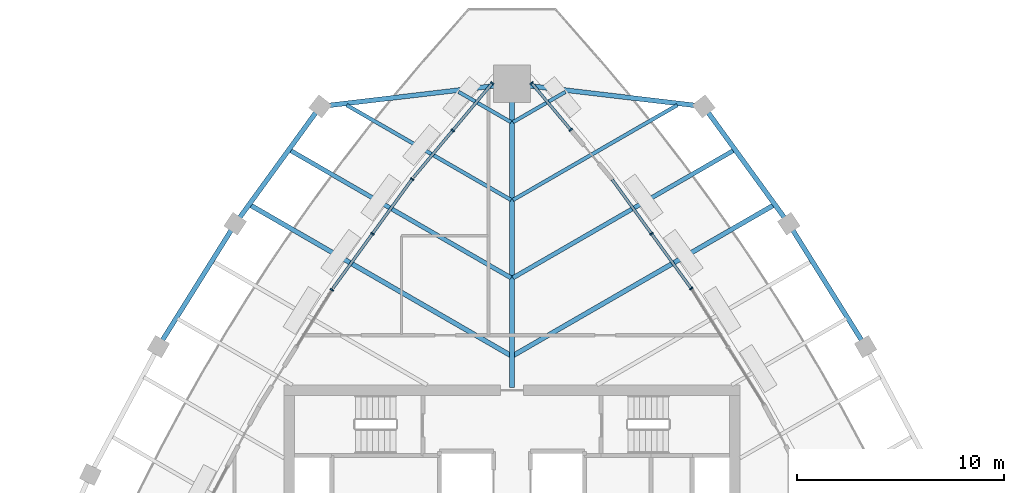
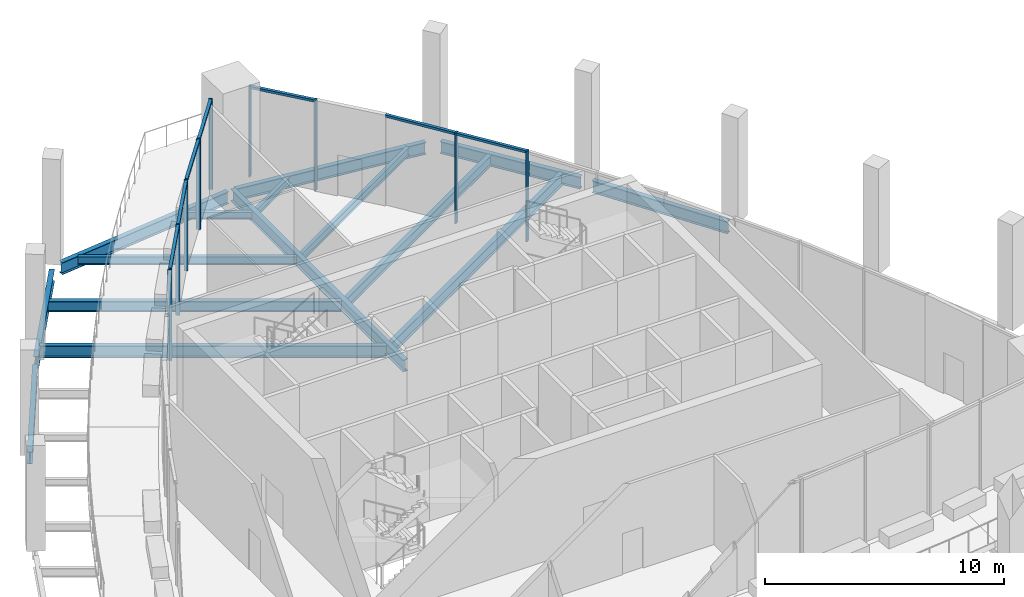
# One storey, part 5 of 14: 16 members, 15 beams, 5 elements without a shape of their own.
"""IFC4 building model written with IfcOpenShell, lengths in metres."""

from ifc_helpers import new_model, si_unit, direction, frame, origin, origin_2d, place, context, subcontext, project, spatial, rectangle, i_section, extrude, material, layer, layer_set, material_profile, profile_set, type_object, element, aggregate, save


model = new_model("IFC4")

# Units and contexts
model_context = context("Model", 3, precision=1e-05, world=origin(), true_north=direction((0.0, 1.0)))
body_context = subcontext(model_context, "Body", "Model", "MODEL_VIEW")
ifc_project = project(units=[si_unit("LENGTHUNIT", "METRE"), si_unit("AREAUNIT", "SQUARE_METRE"), si_unit("VOLUMEUNIT", "CUBIC_METRE"), si_unit("PLANEANGLEUNIT", "RADIAN"), si_unit("MASSUNIT", "GRAM", prefix="KILO")], contexts=[model_context])

# Site, building, storey
site_placement = place(None, origin())
site = spatial("IfcSite", under=ifc_project, at=site_placement, CompositionType="ELEMENT")
building_placement = place(site_placement, origin())
building = spatial("IfcBuilding", under=site, at=building_placement, Name="Sierra Prisma Convention Tower", CompositionType="ELEMENT")
storey_placement = place(building_placement, frame((0.0, 0.0, 339.39990234375)))
storey = spatial("IfcBuildingStorey", under=building, at=storey_placement, Name="L76", CompositionType="ELEMENT", Elevation=339.39990234375)

# Curtain wall, members
ifc_material_1 = material(Name="Aluminium and glass curtain wall", Category="aluminium")
ifc_layer = layer(ifc_material_1, 0.179931640625)
ifc_layer_set = layer_set([ifc_layer], Name="CW-5 Observation lounge curtain wall")
curtain_wall_type = type_object("IfcCurtainWallType", Name="CW-5 Observation lounge curtain wall", PredefinedType="NOTDEFINED", material=ifc_layer_set)
curtain_wall_1_placement = place(storey_placement, origin())
curtain_wall_1 = element("IfcCurtainWall", 1, at=curtain_wall_1_placement, inside=storey, type_object=curtain_wall_type, Name="CW-5 CNE5 L76", PredefinedType="NOTDEFINED")
ifc_material_2 = material(Name="Aluminium 6063-T6 bronze anodised", Category="aluminium")
ifc_material_profile_1 = material_profile(ifc_material_2, rectangle(XDim=0.179931640625, YDim=0.070068359375, at=origin_2d()), Name="ALU MULLION 70x180")
ifc_profile_set_1 = profile_set([ifc_material_profile_1], Name="Aluminium 6063-T6 bronze anodised")
member_type_1 = type_object("IfcMemberType", Name="CW mullion bronze", PredefinedType="MULLION", material=ifc_profile_set_1)
member_1_placement = place(storey_placement, frame((8.650146484375, 12.6533203125, 0.0), z_axis=(0.0, 0.0, 1.0), x_axis=(-0.809530094288, -0.587078381855, 0.0)))
member_1 = element("IfcMember", 2, at=member_1_placement, type_object=member_type_1, Name="CW-5 mullion CNE5.1", PredefinedType="MULLION", context=body_context, shape_type="SweptSolid", body=[
    extrude(rectangle(XDim=0.179931640625, YDim=0.070068359375, at=origin_2d()), origin(), (0.0, 0.0, 1.0), 4.64013671875),
])
member_2_placement = place(storey_placement, frame((6.732666015625, 15.29736328125, 0.0), z_axis=(0.0, 0.0, 1.0), x_axis=(-0.809530094288, -0.587078381855, 0.0)))
member_2 = element("IfcMember", 3, at=member_2_placement, type_object=member_type_1, Name="CW-5 mullion CNE5.2", PredefinedType="MULLION", context=body_context, shape_type="SweptSolid", body=[
    extrude(rectangle(XDim=0.179931640625, YDim=0.070068359375, at=origin_2d()), origin(), (0.0, 0.0, 1.0), 4.64013671875),
])

curtain_wall_2_placement = place(storey_placement, origin())
curtain_wall_2 = element("IfcCurtainWall", 4, at=curtain_wall_2_placement, inside=storey, type_object=curtain_wall_type, Name="CW-5 CNE6 L76", PredefinedType="NOTDEFINED")
member_3_placement = place(storey_placement, frame((2.835693359375, 20.31103515625, 0.0), z_axis=(0.0, 0.0, 1.0), x_axis=(-0.766979382911, -0.641671743331, 0.0)))
member_3 = element("IfcMember", 5, at=member_3_placement, type_object=member_type_1, Name="CW-5 mullion CNE6.1", PredefinedType="MULLION", context=body_context, shape_type="SweptSolid", body=[
    extrude(rectangle(XDim=0.179931640625, YDim=0.070068359375, at=origin_2d()), origin(), (0.0, 0.0, 1.0), 4.64013671875),
])
member_4_placement = place(storey_placement, frame((0.944091796875, 22.572021484375, 0.0), z_axis=(0.0, 0.0, 1.0), x_axis=(-0.766979382911, -0.641671743331, 0.0)))
member_4 = element("IfcMember", 6, at=member_4_placement, type_object=member_type_1, Name="CW-5 mullion CNE6.2", PredefinedType="MULLION", context=body_context, shape_type="SweptSolid", body=[
    extrude(rectangle(XDim=0.179931640625, YDim=0.070068359375, at=origin_2d()), origin(), (0.0, 0.0, 1.0), 4.64013671875),
])

curtain_wall_3_placement = place(storey_placement, origin())
curtain_wall_3 = element("IfcCurtainWall", 7, at=curtain_wall_3_placement, inside=storey, type_object=curtain_wall_type, Name="CW-5 CNW1 L76", PredefinedType="NOTDEFINED")
member_5_placement = place(storey_placement, frame((-0.947265625, 22.568359375, 0.0), z_axis=(0.0, 0.0, 1.0), x_axis=(0.766979382911, -0.641671743331, 0.0)))
member_5 = element("IfcMember", 8, at=member_5_placement, type_object=member_type_1, Name="CW-5 mullion CNW1.1", PredefinedType="MULLION", context=body_context, shape_type="SweptSolid", body=[
    extrude(rectangle(XDim=0.179931640625, YDim=0.070068359375, at=origin_2d()), origin(), (0.0, 0.0, 1.0), 4.64013671875),
])
member_6_placement = place(storey_placement, frame((-2.85986328125, 20.282470703125, 0.0), z_axis=(0.0, 0.0, 1.0), x_axis=(0.766979382911, -0.641671743331, 0.0)))
member_6 = element("IfcMember", 9, at=member_6_placement, type_object=member_type_1, Name="CW-5 mullion CNW1.2", PredefinedType="MULLION", context=body_context, shape_type="SweptSolid", body=[
    extrude(rectangle(XDim=0.179931640625, YDim=0.070068359375, at=origin_2d()), origin(), (0.0, 0.0, 1.0), 4.64013671875),
])

curtain_wall_4_placement = place(storey_placement, origin())
curtain_wall_4 = element("IfcCurtainWall", 10, at=curtain_wall_4_placement, inside=storey, type_object=curtain_wall_type, Name="CW-5 CNW2 L76", PredefinedType="NOTDEFINED")
member_7_placement = place(storey_placement, frame((-4.815185546875, 17.94140625, 0.0), z_axis=(0.0, 0.0, 1.0), x_axis=(0.809530094288, -0.587078381855, 0.0)))
member_7 = element("IfcMember", 11, at=member_7_placement, type_object=member_type_1, Name="CW-5 mullion CNW2.1", PredefinedType="MULLION", context=body_context, shape_type="SweptSolid", body=[
    extrude(rectangle(XDim=0.179931640625, YDim=0.070068359375, at=origin_2d()), origin(), (0.0, 0.0, 1.0), 4.64013671875),
])
member_8_placement = place(storey_placement, frame((-6.732666015625, 15.29736328125, 0.0), z_axis=(0.0, 0.0, 1.0), x_axis=(0.809530094288, -0.587078381855, 0.0)))
member_8 = element("IfcMember", 12, at=member_8_placement, type_object=member_type_1, Name="CW-5 mullion CNW2.2", PredefinedType="MULLION", context=body_context, shape_type="SweptSolid", body=[
    extrude(rectangle(XDim=0.179931640625, YDim=0.070068359375, at=origin_2d()), origin(), (0.0, 0.0, 1.0), 4.64013671875),
])

# Curtain wall, member
curtain_wall_5_placement = place(storey_placement, origin())
curtain_wall_5 = element("IfcCurtainWall", 13, at=curtain_wall_5_placement, inside=storey, type_object=curtain_wall_type, Name="CW-5 CNW3 L76", PredefinedType="NOTDEFINED")
member_9_placement = place(storey_placement, frame((-8.689208984375, 12.59521484375, 0.0), z_axis=(0.0, 0.0, 1.0), x_axis=(0.848202348476, -0.529672328935, 0.0)))
member_9 = element("IfcMember", 14, at=member_9_placement, type_object=member_type_1, Name="CW-5 mullion CNW3.1", PredefinedType="MULLION", context=body_context, shape_type="SweptSolid", body=[
    extrude(rectangle(XDim=0.179931640625, YDim=0.070068359375, at=origin_2d()), origin(), (0.0, 0.0, 1.0), 4.64013671875),
])
aggregate(curtain_wall_5, [member_9])

# Member
ifc_material_3 = material(Name="Aluminium 6063-T6 bronze anodised", Category="aluminium")
ifc_material_profile_2 = material_profile(ifc_material_3, rectangle(XDim=0.139892578125, YDim=0.1201171875, at=origin_2d()), Name="ALU TRANSOM 120x140")
ifc_profile_set_2 = profile_set([ifc_material_profile_2], Name="Aluminium 6063-T6 bronze anodised")
member_type_2 = type_object("IfcMemberType", Name="CW transom bronze", PredefinedType="USERDEFINED", material=ifc_profile_set_2)
member_10_placement = place(storey_placement, frame((8.629638671875, 12.681640625, 4.580078125), z_axis=(-0.587090230316, 0.809521501547, 0.0), x_axis=(-0.809521501547, -0.587090230316, 0.0)))
member_10 = element("IfcMember", 15, at=member_10_placement, type_object=member_type_2, Name="CW-5 transom CNE5.1", ObjectType="TRANSOM", PredefinedType="USERDEFINED", context=body_context, shape_type="SweptSolid", body=[
    extrude(rectangle(XDim=0.139892578125, YDim=0.1201171875, at=origin_2d()), origin(), (0.0, 0.0, 1.0), 3.1962890625),
])

member_11_placement = place(storey_placement, frame((6.712158203125, 15.32568359375, 4.580078125), z_axis=(-0.587090230316, 0.809521501547, 0.0), x_axis=(-0.809521501547, -0.587090230316, 0.0)))
member_11 = element("IfcMember", 16, at=member_11_placement, type_object=member_type_2, Name="CW-5 transom CNE5.2", ObjectType="TRANSOM", PredefinedType="USERDEFINED", context=body_context, shape_type="SweptSolid", body=[
    extrude(rectangle(XDim=0.139892578125, YDim=0.1201171875, at=origin_2d()), origin(), (0.0, 0.0, 1.0), 3.1962890625),
])

aggregate(curtain_wall_1, [member_1, member_2, member_10, member_11])

member_12_placement = place(storey_placement, frame((2.813232421875, 20.337890625, 4.580078125), z_axis=(-0.641676806745, 0.766975146719, 0.0), x_axis=(-0.766975146719, -0.641676806745, 0.0)))
member_12 = element("IfcMember", 17, at=member_12_placement, type_object=member_type_2, Name="CW-5 transom CNE6.1", ObjectType="TRANSOM", PredefinedType="USERDEFINED", context=body_context, shape_type="SweptSolid", body=[
    extrude(rectangle(XDim=0.139892578125, YDim=0.1201171875, at=origin_2d()), origin(), (0.0, 0.0, 1.0), 2.8779296875),
])

aggregate(curtain_wall_2, [member_3, member_4, member_12])

member_13_placement = place(storey_placement, frame((-0.9697265625, 22.54150390625, 4.580078125), z_axis=(-0.641709542464, -0.766947757745, 0.0), x_axis=(0.766947757745, -0.641709542464, 0.0)))
member_13 = element("IfcMember", 18, at=member_13_placement, type_object=member_type_2, Name="CW-5 transom CNW1.1", ObjectType="TRANSOM", PredefinedType="USERDEFINED", context=body_context, shape_type="SweptSolid", body=[
    extrude(rectangle(XDim=0.139892578125, YDim=0.1201171875, at=origin_2d()), origin(), (0.0, 0.0, 1.0), 2.910400390625),
])

member_14_placement = place(storey_placement, frame((-2.88232421875, 20.255615234375, 4.580078125), z_axis=(-0.641660197403, -0.766989042339, 0.0), x_axis=(0.766989042339, -0.641660197403, 0.0)))
member_14 = element("IfcMember", 19, at=member_14_placement, type_object=member_type_2, Name="CW-5 transom CNW1.2", ObjectType="TRANSOM", PredefinedType="USERDEFINED", context=body_context, shape_type="SweptSolid", body=[
    extrude(rectangle(XDim=0.139892578125, YDim=0.1201171875, at=origin_2d()), origin(), (0.0, 0.0, 1.0), 2.910400390625),
])

aggregate(curtain_wall_3, [member_5, member_6, member_13, member_14])

member_15_placement = place(storey_placement, frame((-4.835693359375, 17.9130859375, 4.580078125), z_axis=(-0.587090230316, -0.809521501547, 0.0), x_axis=(0.809521501547, -0.587090230316, 0.0)))
member_15 = element("IfcMember", 20, at=member_15_placement, type_object=member_type_2, Name="CW-5 transom CNW2.1", ObjectType="TRANSOM", PredefinedType="USERDEFINED", context=body_context, shape_type="SweptSolid", body=[
    extrude(rectangle(XDim=0.139892578125, YDim=0.1201171875, at=origin_2d()), origin(), (0.0, 0.0, 1.0), 3.1962890625),
])

member_16_placement = place(storey_placement, frame((-6.753173828125, 15.26904296875, 4.580078125), z_axis=(-0.587090230316, -0.809521501547, 0.0), x_axis=(0.809521501547, -0.587090230316, 0.0)))
member_16 = element("IfcMember", 21, at=member_16_placement, type_object=member_type_2, Name="CW-5 transom CNW2.2", ObjectType="TRANSOM", PredefinedType="USERDEFINED", context=body_context, shape_type="SweptSolid", body=[
    extrude(rectangle(XDim=0.139892578125, YDim=0.1201171875, at=origin_2d()), origin(), (0.0, 0.0, 1.0), 3.1962890625),
])

aggregate(curtain_wall_4, [member_7, member_8, member_15, member_16])

# Beams
ifc_material_4 = material(Name="Steel ASTM A992 Gr 50", Category="steel")
ifc_material_profile_3 = material_profile(ifc_material_4, i_section(OverallWidth=0.172119140625, OverallDepth=0.35791015625, WebThickness=0.0078125, FlangeThickness=0.01318359375, at=origin_2d()), Name="W360x57")
ifc_profile_set_3 = profile_set([ifc_material_profile_3], Name="Steel ASTM A992 Gr 50")
beam_type_1 = type_object("IfcBeamType", Name="Floor joist W360x57", PredefinedType="JOIST", material=ifc_profile_set_3)
for number, where, z_axis, x_axis, name in (
    (22, (2.577880859375, 22.14306640625, -0.47900390625), (-0.866035418383, -0.499982653806, 0.0), (0.499982653806, -0.866035418383, 0.0), "Floor joist L76 NE12"),
    (23, (-2.577880859375, 22.14306640625, -0.47900390625), (0.866035418383, -0.499982653806, 0.0), (0.499982653806, 0.866035418383, 0.0), "Floor joist L76 NW01"),
):
    element("IfcBeam", number, at=place(storey_placement, frame(where, z_axis=z_axis, x_axis=x_axis)), inside=storey, type_object=beam_type_1, Name=name, PredefinedType="JOIST", context=body_context, shape_type="SweptSolid", body=[
        extrude(i_section(OverallWidth=0.172119140625, OverallDepth=0.35791015625, WebThickness=0.0078125, FlangeThickness=0.01318359375, at=origin_2d()), origin(), (0.0, 0.0, 1.0), 2.923828125),
    ])
ifc_material_5 = material(Name="Steel ASTM A992 Gr 50", Category="steel")
ifc_material_profile_4 = material_profile(ifc_material_5, i_section(OverallWidth=0.177978515625, OverallDepth=0.406982421875, WebThickness=0.0078125, FlangeThickness=0.0126953125, at=origin_2d()), Name="W410x60")
ifc_profile_set_4 = profile_set([ifc_material_profile_4], Name="Steel ASTM A992 Gr 50")
beam_type_2 = type_object("IfcBeamType", Name="Floor joist W410x60", PredefinedType="JOIST", material=ifc_profile_set_4)
for number, where, z_axis, x_axis, name in (
    (24, (7.98046875, 21.5068359375, -0.50341796875), (-0.866030723977, -0.499990785043, 0.0), (0.499990785043, -0.866030723977, 0.0), "Floor joist L76 NE11"),
    (25, (-7.98046875, 21.5068359375, -0.50341796875), (0.866030723977, -0.499990785043, 0.0), (0.499990785043, 0.866030723977, 0.0), "Floor joist L76 NW02"),
):
    element("IfcBeam", number, at=place(storey_placement, frame(where, z_axis=z_axis, x_axis=x_axis)), inside=storey, type_object=beam_type_2, Name=name, PredefinedType="JOIST", context=body_context, shape_type="SweptSolid", body=[
        extrude(i_section(OverallWidth=0.177978515625, OverallDepth=0.406982421875, WebThickness=0.0078125, FlangeThickness=0.0126953125, at=origin_2d()), origin(), (0.0, 0.0, 1.0), 9.162353515625),
    ])
ifc_material_6 = material(Name="Steel ASTM A992 Gr 50", Category="steel")
ifc_material_profile_5 = material_profile(ifc_material_6, i_section(OverallWidth=0.208984375, OverallDepth=0.532958984375, WebThickness=0.01025390625, FlangeThickness=0.015625, at=origin_2d()), Name="W530x92")
ifc_profile_set_5 = profile_set([ifc_material_profile_5], Name="Steel ASTM A992 Gr 50")
beam_type_3 = type_object("IfcBeamType", Name="Floor joist W530x92", PredefinedType="JOIST", material=ifc_profile_set_5)
for number, where, z_axis, x_axis, name in (
    (26, (10.706298828125, 19.3251953125, -0.56640625), (-0.866030357748, -0.499991419384, 0.0), (0.499991419384, -0.866030357748, 0.0), "Floor joist L76 NE10"),
    (27, (-10.706298828125, 19.3251953125, -0.56640625), (0.866030357748, -0.499991419384, 0.0), (0.499991419384, 0.866030357748, 0.0), "Floor joist L76 NW03"),
):
    element("IfcBeam", number, at=place(storey_placement, frame(where, z_axis=z_axis, x_axis=x_axis)), inside=storey, type_object=beam_type_3, Name=name, PredefinedType="JOIST", context=body_context, shape_type="SweptSolid", body=[
        extrude(i_section(OverallWidth=0.208984375, OverallDepth=0.532958984375, WebThickness=0.01025390625, FlangeThickness=0.015625, at=origin_2d()), origin(), (0.0, 0.0, 1.0), 12.309814453125),
    ])
ifc_material_7 = material(Name="Steel ASTM A992 Gr 50", Category="steel")
ifc_material_profile_6 = material_profile(ifc_material_7, i_section(OverallWidth=0.22802734375, OverallDepth=0.60302734375, WebThickness=0.010498046875, FlangeThickness=0.014892578125, at=origin_2d()), Name="W610x101")
ifc_profile_set_6 = profile_set([ifc_material_profile_6], Name="Steel ASTM A992 Gr 50")
beam_type_4 = type_object("IfcBeamType", Name="Floor joist W610x101", PredefinedType="JOIST", material=ifc_profile_set_6)
for number, where, z_axis, x_axis, name in (
    (28, (12.6259765625, 16.67822265625, -0.601318359375), (-0.866020178709, -0.500009049987, 0.0), (0.500009049987, -0.866020178709, 0.0), "Floor joist L76 NE09"),
    (29, (-12.6259765625, 16.67822265625, -0.601318359375), (0.866020178709, -0.500009049987, 0.0), (0.500009049987, 0.866020178709, 0.0), "Floor joist L76 NW04"),
):
    element("IfcBeam", number, at=place(storey_placement, frame(where, z_axis=z_axis, x_axis=x_axis)), inside=storey, type_object=beam_type_4, Name=name, PredefinedType="JOIST", context=body_context, shape_type="SweptSolid", body=[
        extrude(i_section(OverallWidth=0.22802734375, OverallDepth=0.60302734375, WebThickness=0.010498046875, FlangeThickness=0.014892578125, at=origin_2d()), origin(), (0.0, 0.0, 1.0), 14.526611328125),
    ])
ifc_material_8 = material(Name="Steel ASTM A992 Gr 50", Category="steel")
ifc_material_profile_7 = material_profile(ifc_material_8, i_section(OverallWidth=0.22802734375, OverallDepth=0.60302734375, WebThickness=0.010498046875, FlangeThickness=0.014892578125, at=origin_2d()), Name="W610x101")
ifc_profile_set_7 = profile_set([ifc_material_profile_7], Name="Steel ASTM A992 Gr 50")
beam_type_5 = type_object("IfcBeamType", Name="Radial girder W610x101", PredefinedType="BEAM", material=ifc_profile_set_7)
beam_placement = place(storey_placement, frame((0.0, 22.3525390625, -0.451416015625), z_axis=(0.0, -1.0, 0.0), x_axis=(1.0, 0.0, 0.0)))
element("IfcBeam", 30, at=beam_placement, inside=storey, type_object=beam_type_5, Name="Radial girder L76 N", PredefinedType="BEAM", context=body_context, shape_type="SweptSolid", body=[
    extrude(i_section(OverallWidth=0.22802734375, OverallDepth=0.60302734375, WebThickness=0.010498046875, FlangeThickness=0.014892578125, at=origin_2d()), origin(), (0.0, 0.0, 1.0), 14.47265625),
])
ifc_material_9 = material(Name="Steel ASTM A992 Gr 50", Category="steel")
ifc_material_profile_8 = material_profile(ifc_material_9, i_section(OverallWidth=0.22998046875, OverallDepth=0.616943359375, WebThickness=0.01318359375, FlangeThickness=0.022216796875, at=origin_2d()), Name="W610x140")
ifc_profile_set_8 = profile_set([ifc_material_profile_8], Name="Steel ASTM A992 Gr 50")
beam_type_6 = type_object("IfcBeamType", Name="Spandrel beam W610x140", PredefinedType="BEAM", material=ifc_profile_set_8)
for number, where, z_axis, x_axis, name in (
    (31, (16.912353515625, 10.087646484375, -0.6083984375), (-0.529667986155, 0.848205060373, 0.0), (-0.848205060373, -0.529667986155, 0.0), "Spandrel L76-10"),
    (32, (13.192138671875, 16.008544921875, -0.6083984375), (-0.587085729186, 0.809524765888, 0.0), (-0.809524765888, -0.587085729186, 0.0), "Spandrel L76-11"),
):
    element("IfcBeam", number, at=place(storey_placement, frame(where, z_axis=z_axis, x_axis=x_axis)), inside=storey, type_object=beam_type_6, Name=name, PredefinedType="BEAM", context=body_context, shape_type="SweptSolid", body=[
        extrude(i_section(OverallWidth=0.22998046875, OverallDepth=0.616943359375, WebThickness=0.01318359375, FlangeThickness=0.022216796875, at=origin_2d()), origin(), (0.0, 0.0, 1.0), 6.432861328125),
    ])
for number, where, z_axis, x_axis, name in (
    (33, (8.811767578125, 21.49462890625, -0.6083984375), (-0.993136024518, 0.116965109348, 0.0), (-0.116965109348, -0.993136024518, 0.0), "Spandrel L76-12"),
    (34, (-0.179931640625, 22.51123046875, -0.6083984375), (-0.993136024518, -0.116965109348, 0.0), (0.116965109348, -0.993136024518, 0.0), "Spandrel L76-13"),
):
    element("IfcBeam", number, at=place(storey_placement, frame(where, z_axis=z_axis, x_axis=x_axis)), inside=storey, type_object=beam_type_6, Name=name, PredefinedType="BEAM", context=body_context, shape_type="SweptSolid", body=[
        extrude(i_section(OverallWidth=0.22998046875, OverallDepth=0.616943359375, WebThickness=0.01318359375, FlangeThickness=0.022216796875, at=origin_2d()), origin(), (0.0, 0.0, 1.0), 8.69140625),
    ])
for number, where, z_axis, x_axis, name in (
    (35, (-9.41552734375, 21.216064453125, -0.6083984375), (-0.587085729186, -0.809524765888, 0.0), (0.809524765888, -0.587085729186, 0.0), "Spandrel L76-14"),
    (36, (-13.505126953125, 15.5439453125, -0.6083984375), (-0.529667986155, -0.848205060373, 0.0), (0.848205060373, -0.529667986155, 0.0), "Spandrel L76-15"),
):
    element("IfcBeam", number, at=place(storey_placement, frame(where, z_axis=z_axis, x_axis=x_axis)), inside=storey, type_object=beam_type_6, Name=name, PredefinedType="BEAM", context=body_context, shape_type="SweptSolid", body=[
        extrude(i_section(OverallWidth=0.22998046875, OverallDepth=0.616943359375, WebThickness=0.01318359375, FlangeThickness=0.022216796875, at=origin_2d()), origin(), (0.0, 0.0, 1.0), 6.432861328125),
    ])

save(model, "model.ifc")
